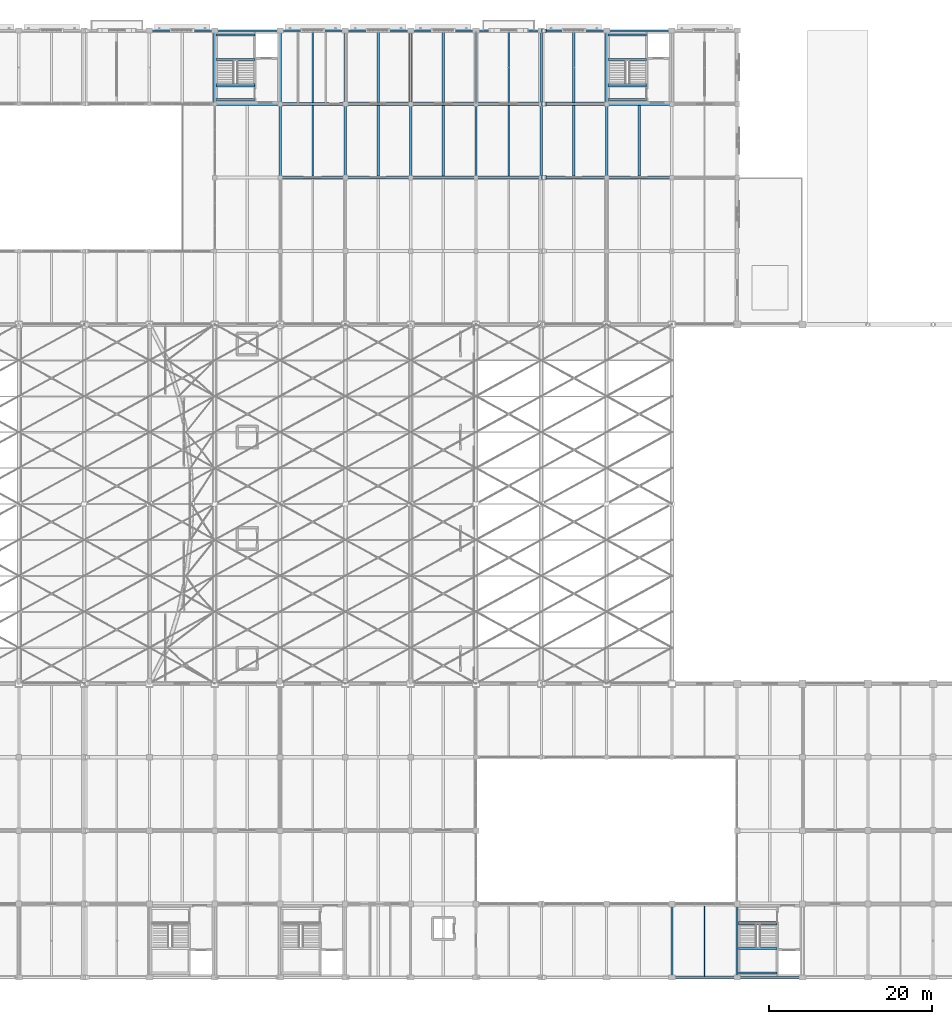
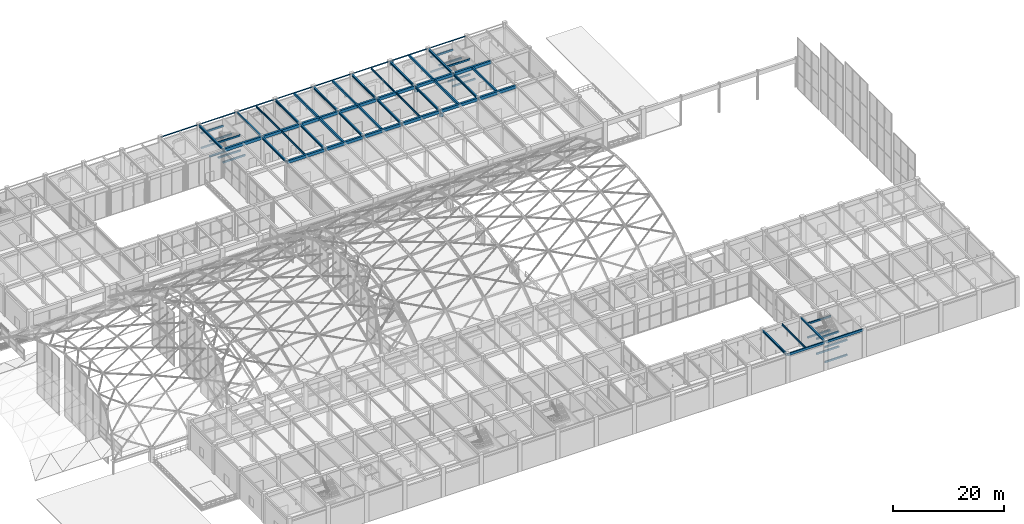
# One storey, part 92 of 163: 73 beams.
"""IFC4 building model written with IfcOpenShell, lengths in metres."""

from ifc_helpers import new_model, si_unit, direction, frame, origin, origin_2d, place, context, subcontext, project, spatial, rectangle, hollow_rectangle, i_section, extrude, material, material_profile, profile_set, type_object, element, save


model = new_model("IFC4")

# Units and contexts
model_context = context("Model", 3, precision=1e-05, world=origin(), true_north=direction((0.0, 1.0)))
body_context = subcontext(model_context, "Body", "Model", "MODEL_VIEW")
ifc_project = project(units=[si_unit("LENGTHUNIT", "METRE"), si_unit("AREAUNIT", "SQUARE_METRE"), si_unit("VOLUMEUNIT", "CUBIC_METRE"), si_unit("PLANEANGLEUNIT", "RADIAN"), si_unit("MASSUNIT", "GRAM", prefix="KILO")], contexts=[model_context])

# Site, building, storey
site_placement = place(None, origin())
site = spatial("IfcSite", under=ifc_project, at=site_placement, CompositionType="ELEMENT")
building_placement = place(site_placement, origin())
building = spatial("IfcBuilding", under=site, at=building_placement, Name="Varnabhumi Central Station", CompositionType="ELEMENT")
storey_placement = place(building_placement, frame((0.0, 0.0, 9.60009765625)))
storey = spatial("IfcBuildingStorey", under=building, at=storey_placement, Name="L02", CompositionType="ELEMENT", Elevation=9.60009765625)

# Beams
ifc_material_1 = material(Name="Structural steel E350", Category="steel")
ifc_material_profile_1 = material_profile(ifc_material_1, i_section(OverallWidth=0.14990234375, OverallDepth=0.449951171875, WebThickness=0.009521484375, FlangeThickness=0.017333984375, FilletRadius=0.014892578125, at=origin_2d()), Name="Structural steel E350", Category="steel")
ifc_profile_set_1 = profile_set([ifc_material_profile_1], Name="Structural steel E350")
beam_type_1 = type_object("IfcBeamType", Name="BM-JST-ISMB450", PredefinedType="JOIST", material=ifc_profile_set_1)
beam_1_placement = place(storey_placement, frame((140.0, 0.125, 6.125), z_axis=(0.0, 1.0, 0.0), x_axis=(-1.0, 0.0, 0.0)))
element("IfcBeam", 1, at=beam_1_placement, inside=storey, type_object=beam_type_1, Name="Secondary Joist L02-18/19:A-B", PredefinedType="JOIST", context=body_context, shape_type="SweptSolid", body=[
    extrude(i_section(OverallWidth=0.14990234375, OverallDepth=0.449951171875, WebThickness=0.009521484375, FlangeThickness=0.017333984375, FilletRadius=0.014892578125, at=origin_2d()), origin(), (0.0, 0.0, 1.0), 8.64990234375),
])
for number, where, z_axis, x_axis, name in (
    (2, (92.0, 98.199951171875, 6.125), (0.0, 1.0, 0.0), (-1.0, 0.0, 0.0), "Secondary Joist L02-12/13:M-N"),
    (3, (116.0, 98.199951171875, 6.125), (0.0, 1.0, 0.0), (-1.0, 0.0, 0.0), "Secondary Joist L02-15/16:M-N"),
):
    element("IfcBeam", number, at=place(storey_placement, frame(where, z_axis=z_axis, x_axis=x_axis)), inside=storey, type_object=beam_type_1, Name=name, PredefinedType="JOIST", context=body_context, shape_type="SweptSolid", body=[
        extrude(i_section(OverallWidth=0.14990234375, OverallDepth=0.449951171875, WebThickness=0.009521484375, FlangeThickness=0.017333984375, FilletRadius=0.014892578125, at=origin_2d()), origin(), (0.0, 0.0, 1.0), 8.60009765625),
    ])
for number, where, z_axis, x_axis, name in (
    (4, (92.0, 107.199951171875, 6.125), (0.0, 1.0, 0.0), (-1.0, 0.0, 0.0), "Secondary Joist L02-12/13:N-P"),
    (5, (116.0, 107.199951171875, 6.125), (0.0, 1.0, 0.0), (-1.0, 0.0, 0.0), "Secondary Joist L02-15/16:N-P"),
):
    element("IfcBeam", number, at=place(storey_placement, frame(where, z_axis=z_axis, x_axis=x_axis)), inside=storey, type_object=beam_type_1, Name=name, PredefinedType="JOIST", context=body_context, shape_type="SweptSolid", body=[
        extrude(i_section(OverallWidth=0.14990234375, OverallDepth=0.449951171875, WebThickness=0.009521484375, FlangeThickness=0.017333984375, FilletRadius=0.014892578125, at=origin_2d()), origin(), (0.0, 0.0, 1.0), 8.739990234375),
    ])
ifc_material_2 = material(Name="Concrete M35", Category="concrete")
ifc_material_profile_2 = material_profile(ifc_material_2, rectangle(XDim=0.25, YDim=0.35009765625, at=origin_2d()), Name="Concrete M35", Category="concrete")
ifc_profile_set_2 = profile_set([ifc_material_profile_2], Name="Concrete M35")
beam_type_2 = type_object("IfcBeamType", Name="BM-RC-250x350", PredefinedType="LINTEL", material=ifc_profile_set_2)
beam_2_placement = place(storey_placement, frame((144.0, 0.10009765625, 6.1748046875), z_axis=(0.0, 1.0, 0.0), x_axis=(-1.0, 0.0, 0.0)))
element("IfcBeam", 6, at=beam_2_placement, inside=storey, type_object=beam_type_2, Name="Beam L02-19:A-B", PredefinedType="LINTEL", context=body_context, shape_type="SweptSolid", body=[
    extrude(rectangle(XDim=0.25, YDim=0.35009765625, at=origin_2d()), origin(), (0.0, 0.0, 1.0), 8.7998046875),
])
for number, where, z_axis, x_axis, name in (
    (7, (80.179931640625, 112.449951171875, 1.294921875), (1.0, 0.0, 0.0), (0.0, 1.0, 0.0), "ST-N2 L02 Quarter Landing 1 Support Beam 1"),
    (8, (80.179931640625, 115.4599609375, 1.294921875), (1.0, 0.0, 0.0), (0.0, 1.0, 0.0), "ST-N2 L02 Quarter Landing 1 Support Beam 2"),
    (9, (80.179931640625, 107.5400390625, 2.94482421875), (1.0, 0.0, 0.0), (0.0, 1.0, 0.0), "ST-N2 L02 Mid-Height Landing Support Beam 1"),
    (10, (80.179931640625, 109.239990234375, 2.94482421875), (1.0, 0.0, 0.0), (0.0, 1.0, 0.0), "ST-N2 L02 Mid-Height Landing Support Beam 2"),
    (11, (80.179931640625, 112.449951171875, 4.594970703125), (1.0, 0.0, 0.0), (0.0, 1.0, 0.0), "ST-N2 L02 Quarter Landing 3 Support Beam 1"),
    (12, (80.179931640625, 115.4599609375, 4.594970703125), (1.0, 0.0, 0.0), (0.0, 1.0, 0.0), "ST-N2 L02 Quarter Landing 3 Support Beam 2"),
    (13, (80.179931640625, 109.419921875, 6.1748046875), (1.0, 0.0, 0.0), (0.0, 1.0, 0.0), "ST-N2 L02 Floor Opening Trimmer Beam"),
    (14, (128.179931640625, 112.449951171875, 1.294921875), (1.0, 0.0, 0.0), (0.0, 1.0, 0.0), "ST-N3 L02 Quarter Landing 1 Support Beam 1"),
    (15, (128.179931640625, 115.4599609375, 1.294921875), (1.0, 0.0, 0.0), (0.0, 1.0, 0.0), "ST-N3 L02 Quarter Landing 1 Support Beam 2"),
    (16, (128.179931640625, 107.5400390625, 2.94482421875), (1.0, 0.0, 0.0), (0.0, 1.0, 0.0), "ST-N3 L02 Mid-Height Landing Support Beam 1"),
    (17, (128.179931640625, 109.239990234375, 2.94482421875), (1.0, 0.0, 0.0), (0.0, 1.0, 0.0), "ST-N3 L02 Mid-Height Landing Support Beam 2"),
    (18, (128.179931640625, 112.449951171875, 4.594970703125), (1.0, 0.0, 0.0), (0.0, 1.0, 0.0), "ST-N3 L02 Quarter Landing 3 Support Beam 1"),
    (19, (128.179931640625, 115.4599609375, 4.594970703125), (1.0, 0.0, 0.0), (0.0, 1.0, 0.0), "ST-N3 L02 Quarter Landing 3 Support Beam 2"),
    (20, (128.179931640625, 109.419921875, 6.1748046875), (1.0, 0.0, 0.0), (0.0, 1.0, 0.0), "ST-N3 L02 Floor Opening Trimmer Beam"),
    (21, (144.179931640625, 0.5400390625, 1.294921875), (1.0, 0.0, 0.0), (0.0, 1.0, 0.0), "ST-S3 L02 Quarter Landing 1 Support Beam 1"),
    (22, (144.179931640625, 3.550048828125, 1.294921875), (1.0, 0.0, 0.0), (0.0, 1.0, 0.0), "ST-S3 L02 Quarter Landing 1 Support Beam 2"),
    (23, (144.179931640625, 6.760009765625, 2.94482421875), (1.0, 0.0, 0.0), (0.0, 1.0, 0.0), "ST-S3 L02 Mid-Height Landing Support Beam 1"),
    (24, (144.179931640625, 0.5400390625, 4.594970703125), (1.0, 0.0, 0.0), (0.0, 1.0, 0.0), "ST-S3 L02 Quarter Landing 3 Support Beam 1"),
    (25, (144.179931640625, 3.550048828125, 4.594970703125), (1.0, 0.0, 0.0), (0.0, 1.0, 0.0), "ST-S3 L02 Quarter Landing 3 Support Beam 2"),
    (26, (144.179931640625, 6.580078125, 6.1748046875), (1.0, 0.0, 0.0), (0.0, 1.0, 0.0), "ST-S3 L02 Floor Opening Trimmer Beam"),
):
    element("IfcBeam", number, at=place(storey_placement, frame(where, z_axis=z_axis, x_axis=x_axis)), inside=storey, type_object=beam_type_2, Name=name, PredefinedType="LINTEL", context=body_context, shape_type="SweptSolid", body=[
        extrude(rectangle(XDim=0.25, YDim=0.35009765625, at=origin_2d()), origin(), (0.0, 0.0, 1.0), 4.719970703125),
    ])
ifc_material_3 = material(Name="Concrete M40", Category="concrete")
ifc_material_profile_3 = material_profile(ifc_material_3, rectangle(XDim=0.25, YDim=0.5, at=origin_2d()), Name="Concrete M40", Category="concrete")
ifc_profile_set_3 = profile_set([ifc_material_profile_3], Name="Concrete M40")
beam_type_3 = type_object("IfcBeamType", Name="BM-RC-250x500", PredefinedType="SPANDREL", material=ifc_profile_set_3)
for number, where, z_axis, x_axis, name in (
    (27, (136.10009765625, 0.0, 6.099853515625), (1.0, 0.0, 0.0), (0.0, 1.0, 0.0), "Beam L02-A:18-19"),
    (28, (144.10009765625, 0.0, 6.099853515625), (1.0, 0.0, 0.0), (0.0, 1.0, 0.0), "Beam L02-A:19-20"),
):
    element("IfcBeam", number, at=place(storey_placement, frame(where, z_axis=z_axis, x_axis=x_axis)), inside=storey, type_object=beam_type_3, Name=name, PredefinedType="SPANDREL", context=body_context, shape_type="SweptSolid", body=[
        extrude(rectangle(XDim=0.25, YDim=0.5, at=origin_2d()), origin(), (0.0, 0.0, 1.0), 7.7998046875),
    ])
ifc_material_profile_4 = material_profile(ifc_material_3, rectangle(XDim=0.300048828125, YDim=0.449951171875, at=origin_2d()), Name="Concrete M40", Category="concrete")
ifc_profile_set_4 = profile_set([ifc_material_profile_4], Name="Concrete M40")
beam_type_4 = type_object("IfcBeamType", Name="BM-RC-300x450", PredefinedType="JOIST", material=ifc_profile_set_4)
for number, where, z_axis, x_axis, name in (
    (29, (108.0, 98.199951171875, 6.125), (0.0, 1.0, 0.0), (-1.0, 0.0, 0.0), "Secondary Joist L02-14/15:M-N"),
    (30, (132.0, 98.199951171875, 6.125), (0.0, 1.0, 0.0), (-1.0, 0.0, 0.0), "Secondary Joist L02-17/18:M-N"),
):
    element("IfcBeam", number, at=place(storey_placement, frame(where, z_axis=z_axis, x_axis=x_axis)), inside=storey, type_object=beam_type_4, Name=name, PredefinedType="JOIST", context=body_context, shape_type="SweptSolid", body=[
        extrude(rectangle(XDim=0.300048828125, YDim=0.449951171875, at=origin_2d()), origin(), (0.0, 0.0, 1.0), 8.60009765625),
    ])
beam_3_placement = place(storey_placement, frame((108.0, 107.199951171875, 6.125), z_axis=(0.0, 1.0, 0.0), x_axis=(-1.0, 0.0, 0.0)))
element("IfcBeam", 31, at=beam_3_placement, inside=storey, type_object=beam_type_4, Name="Secondary Joist L02-14/15:N-P", PredefinedType="JOIST", context=body_context, shape_type="SweptSolid", body=[
    extrude(rectangle(XDim=0.300048828125, YDim=0.449951171875, at=origin_2d()), origin(), (0.0, 0.0, 1.0), 8.739990234375),
])
ifc_material_profile_5 = material_profile(ifc_material_3, rectangle(XDim=0.300048828125, YDim=0.5, at=origin_2d()), Name="Concrete M40", Category="concrete")
ifc_profile_set_5 = profile_set([ifc_material_profile_5], Name="Concrete M40")
beam_type_5 = type_object("IfcBeamType", Name="BM-RC-300x500", PredefinedType="JOIST", material=ifc_profile_set_5)
for number, where, z_axis, x_axis, name in (
    (32, (100.0, 98.199951171875, 6.099853515625), (0.0, 1.0, 0.0), (-1.0, 0.0, 0.0), "Secondary Joist L02-13/14:M-N"),
    (33, (124.0, 98.199951171875, 6.099853515625), (0.0, 1.0, 0.0), (-1.0, 0.0, 0.0), "Secondary Joist L02-16/17:M-N"),
):
    element("IfcBeam", number, at=place(storey_placement, frame(where, z_axis=z_axis, x_axis=x_axis)), inside=storey, type_object=beam_type_5, Name=name, PredefinedType="JOIST", context=body_context, shape_type="SweptSolid", body=[
        extrude(rectangle(XDim=0.300048828125, YDim=0.5, at=origin_2d()), origin(), (0.0, 0.0, 1.0), 8.60009765625),
    ])
for number, where, z_axis, x_axis, name in (
    (34, (100.0, 107.199951171875, 6.099853515625), (0.0, 1.0, 0.0), (-1.0, 0.0, 0.0), "Secondary Joist L02-13/14:N-P"),
    (35, (124.0, 107.199951171875, 6.099853515625), (0.0, 1.0, 0.0), (-1.0, 0.0, 0.0), "Secondary Joist L02-16/17:N-P"),
):
    element("IfcBeam", number, at=place(storey_placement, frame(where, z_axis=z_axis, x_axis=x_axis)), inside=storey, type_object=beam_type_5, Name=name, PredefinedType="JOIST", context=body_context, shape_type="SweptSolid", body=[
        extrude(rectangle(XDim=0.300048828125, YDim=0.5, at=origin_2d()), origin(), (0.0, 0.0, 1.0), 8.739990234375),
    ])
ifc_material_profile_6 = material_profile(ifc_material_3, rectangle(XDim=0.39990234375, YDim=0.64990234375, at=origin_2d()), Name="Concrete M40", Category="concrete")
ifc_profile_set_6 = profile_set([ifc_material_profile_6], Name="Concrete M40")
beam_type_6 = type_object("IfcBeamType", Name="BM-RC-400x650", PredefinedType="BEAM", material=ifc_profile_set_6)
for number, where, z_axis, x_axis, name in (
    (36, (80.10009765625, 107.0, 6.02490234375), (1.0, 0.0, 0.0), (0.0, 1.0, 0.0), "Beam L02-N:11-12"),
    (37, (88.10009765625, 98.0, 6.02490234375), (1.0, 0.0, 0.0), (0.0, 1.0, 0.0), "Beam L02-M:12-13"),
    (38, (88.10009765625, 107.0, 6.02490234375), (1.0, 0.0, 0.0), (0.0, 1.0, 0.0), "Beam L02-N:12-13"),
    (39, (96.10009765625, 98.0, 6.02490234375), (1.0, 0.0, 0.0), (0.0, 1.0, 0.0), "Beam L02-M:13-14"),
    (40, (96.10009765625, 107.0, 6.02490234375), (1.0, 0.0, 0.0), (0.0, 1.0, 0.0), "Beam L02-N:13-14"),
    (41, (104.10009765625, 98.0, 6.02490234375), (1.0, 0.0, 0.0), (0.0, 1.0, 0.0), "Beam L02-M:14-15"),
    (42, (104.10009765625, 107.0, 6.02490234375), (1.0, 0.0, 0.0), (0.0, 1.0, 0.0), "Beam L02-N:14-15"),
    (43, (112.10009765625, 98.0, 6.02490234375), (1.0, 0.0, 0.0), (0.0, 1.0, 0.0), "Beam L02-M:15-16"),
    (44, (112.10009765625, 107.0, 6.02490234375), (1.0, 0.0, 0.0), (0.0, 1.0, 0.0), "Beam L02-N:15-16"),
    (45, (120.10009765625, 98.0, 6.02490234375), (1.0, 0.0, 0.0), (0.0, 1.0, 0.0), "Beam L02-M:16-17"),
    (46, (120.10009765625, 107.0, 6.02490234375), (1.0, 0.0, 0.0), (0.0, 1.0, 0.0), "Beam L02-N:16-17"),
    (47, (128.10009765625, 98.0, 6.02490234375), (1.0, 0.0, 0.0), (0.0, 1.0, 0.0), "Beam L02-M:17-18"),
    (48, (128.10009765625, 107.0, 6.02490234375), (1.0, 0.0, 0.0), (0.0, 1.0, 0.0), "Beam L02-N:17-18"),
):
    element("IfcBeam", number, at=place(storey_placement, frame(where, z_axis=z_axis, x_axis=x_axis)), inside=storey, type_object=beam_type_6, Name=name, PredefinedType="BEAM", context=body_context, shape_type="SweptSolid", body=[
        extrude(rectangle(XDim=0.39990234375, YDim=0.64990234375, at=origin_2d()), origin(), (0.0, 0.0, 1.0), 7.7998046875),
    ])
ifc_material_profile_7 = material_profile(ifc_material_3, rectangle(XDim=0.449951171875, YDim=0.75, at=origin_2d()), Name="Concrete M40", Category="concrete")
ifc_profile_set_7 = profile_set([ifc_material_profile_7], Name="Concrete M40")
beam_type_7 = type_object("IfcBeamType", Name="BM-RC-450x750", PredefinedType="BEAM", material=ifc_profile_set_7)
for number, where, z_axis, x_axis, name in (
    (49, (120.0, 98.0, 5.244873046875), (1.0, 0.0, 0.0), (0.0, 1.0, 0.0), "Movement Joint 650mm Corbel Seat L02-M-16"),
    (50, (120.0, 107.0, 5.244873046875), (1.0, 0.0, 0.0), (0.0, 1.0, 0.0), "Movement Joint 650mm Corbel Seat L02-N-16"),
    (51, (120.0, 116.0, 5.65478515625), (1.0, 0.0, 0.0), (0.0, 1.0, 0.0), "Movement Joint 650mm Corbel Seat L02-P-16"),
):
    element("IfcBeam", number, at=place(storey_placement, frame(where, z_axis=z_axis, x_axis=x_axis)), inside=storey, type_object=beam_type_7, Name=name, PredefinedType="BEAM", context=body_context, shape_type="SweptSolid", body=[
        extrude(rectangle(XDim=0.449951171875, YDim=0.75, at=origin_2d()), origin(), (0.0, 0.0, 1.0), 0.64990234375),
    ])
ifc_material_profile_8 = material_profile(ifc_material_1, i_section(OverallWidth=0.25, OverallDepth=0.5, WebThickness=0.010009765625, FlangeThickness=0.0146484375, FilletRadius=0.014892578125, at=origin_2d()), Name="Structural steel E350", Category="steel")
ifc_profile_set_8 = profile_set([ifc_material_profile_8], Name="Structural steel E350")
beam_type_8 = type_object("IfcBeamType", Name="BM-SEC-ISWB500", PredefinedType="BEAM", material=ifc_profile_set_8)
beam_4_placement = place(storey_placement, frame((136.0, 0.10009765625, 6.099853515625), z_axis=(0.0, 1.0, 0.0), x_axis=(-1.0, 0.0, 0.0)))
element("IfcBeam", 52, at=beam_4_placement, inside=storey, type_object=beam_type_8, Name="Beam L02-18:A-B", PredefinedType="BEAM", context=body_context, shape_type="SweptSolid", body=[
    extrude(i_section(OverallWidth=0.25, OverallDepth=0.5, WebThickness=0.010009765625, FlangeThickness=0.0146484375, FilletRadius=0.014892578125, at=origin_2d()), origin(), (0.0, 0.0, 1.0), 8.7998046875),
])
ifc_material_profile_9 = material_profile(ifc_material_1, hollow_rectangle(XDim=0.1201171875, YDim=0.239990234375, WallThickness=0.008056640625, InnerFilletRadius=0.008056640625, OuterFilletRadius=0.01611328125, at=origin_2d()), Name="Structural steel E350", Category="steel")
ifc_profile_set_9 = profile_set([ifc_material_profile_9], Name="Structural steel E350")
beam_type_9 = type_object("IfcBeamType", Name="BM-STL-RHS240", PredefinedType="SPANDREL", material=ifc_profile_set_9)
for number, where, z_axis, x_axis, name in (
    (53, (72.10009765625, 116.0, 6.22998046875), (1.0, 0.0, 0.0), (0.0, 1.0, 0.0), "Beam L02-P:10-11"),
    (54, (80.10009765625, 116.0, 6.22998046875), (1.0, 0.0, 0.0), (0.0, 1.0, 0.0), "Beam L02-P:11-12"),
    (55, (88.10009765625, 116.0, 6.22998046875), (1.0, 0.0, 0.0), (0.0, 1.0, 0.0), "Beam L02-P:12-13"),
    (56, (96.10009765625, 116.0, 6.22998046875), (1.0, 0.0, 0.0), (0.0, 1.0, 0.0), "Beam L02-P:13-14"),
    (57, (104.10009765625, 116.0, 6.22998046875), (1.0, 0.0, 0.0), (0.0, 1.0, 0.0), "Beam L02-P:14-15"),
    (58, (112.10009765625, 116.0, 6.22998046875), (1.0, 0.0, 0.0), (0.0, 1.0, 0.0), "Beam L02-P:15-16"),
    (59, (120.10009765625, 116.0, 6.22998046875), (1.0, 0.0, 0.0), (0.0, 1.0, 0.0), "Beam L02-P:16-17"),
    (60, (128.10009765625, 116.0, 6.22998046875), (1.0, 0.0, 0.0), (0.0, 1.0, 0.0), "Beam L02-P:17-18"),
):
    element("IfcBeam", number, at=place(storey_placement, frame(where, z_axis=z_axis, x_axis=x_axis)), inside=storey, type_object=beam_type_9, Name=name, PredefinedType="SPANDREL", context=body_context, shape_type="SweptSolid", body=[
        extrude(hollow_rectangle(XDim=0.1201171875, YDim=0.239990234375, WallThickness=0.008056640625, InnerFilletRadius=0.008056640625, OuterFilletRadius=0.01611328125, at=origin_2d()), origin(), (0.0, 0.0, 1.0), 7.7998046875),
    ])
ifc_material_profile_10 = material_profile(ifc_material_1, i_section(OverallWidth=0.300048828125, OverallDepth=0.449951171875, WebThickness=0.013916015625, FlangeThickness=0.02587890625, FilletRadius=0.027099609375, at=origin_2d()), Name="Structural steel E350", Category="steel")
ifc_profile_set_10 = profile_set([ifc_material_profile_10], Name="Structural steel E350")
beam_type_10 = type_object("IfcBeamType", Name="BM-STL-WPB450", PredefinedType="BEAM", material=ifc_profile_set_10)
for number, where, z_axis, x_axis, name in (
    (61, (88.0, 98.10009765625, 6.125), (0.0, 1.0, 0.0), (-1.0, 0.0, 0.0), "Beam L02-12:M-N"),
    (62, (96.0, 98.10009765625, 6.125), (0.0, 1.0, 0.0), (-1.0, 0.0, 0.0), "Beam L02-13:M-N"),
    (63, (104.0, 98.10009765625, 6.125), (0.0, 1.0, 0.0), (-1.0, 0.0, 0.0), "Beam L02-14:M-N"),
    (64, (112.0, 98.10009765625, 6.125), (0.0, 1.0, 0.0), (-1.0, 0.0, 0.0), "Beam L02-15:M-N"),
    (65, (120.0, 98.10009765625, 6.125), (0.0, 1.0, 0.0), (-1.0, 0.0, 0.0), "Beam L02-16:M-N"),
    (66, (128.0, 98.10009765625, 6.125), (0.0, 1.0, 0.0), (-1.0, 0.0, 0.0), "Beam L02-17:M-N"),
    (67, (80.0, 107.10009765625, 6.125), (0.0, 1.0, 0.0), (-1.0, 0.0, 0.0), "Beam L02-11:N-P"),
    (68, (88.0, 107.10009765625, 6.125), (0.0, 1.0, 0.0), (-1.0, 0.0, 0.0), "Beam L02-12:N-P"),
    (69, (96.0, 107.10009765625, 6.125), (0.0, 1.0, 0.0), (-1.0, 0.0, 0.0), "Beam L02-13:N-P"),
    (70, (104.0, 107.10009765625, 6.125), (0.0, 1.0, 0.0), (-1.0, 0.0, 0.0), "Beam L02-14:N-P"),
    (71, (112.0, 107.10009765625, 6.125), (0.0, 1.0, 0.0), (-1.0, 0.0, 0.0), "Beam L02-15:N-P"),
    (72, (120.0, 107.10009765625, 6.125), (0.0, 1.0, 0.0), (-1.0, 0.0, 0.0), "Beam L02-16:N-P"),
    (73, (128.0, 107.10009765625, 6.125), (0.0, 1.0, 0.0), (-1.0, 0.0, 0.0), "Beam L02-17:N-P"),
):
    element("IfcBeam", number, at=place(storey_placement, frame(where, z_axis=z_axis, x_axis=x_axis)), inside=storey, type_object=beam_type_10, Name=name, PredefinedType="BEAM", context=body_context, shape_type="SweptSolid", body=[
        extrude(i_section(OverallWidth=0.300048828125, OverallDepth=0.449951171875, WebThickness=0.013916015625, FlangeThickness=0.02587890625, FilletRadius=0.027099609375, at=origin_2d()), origin(), (0.0, 0.0, 1.0), 8.7998046875),
    ])

save(model, "model.ifc")
